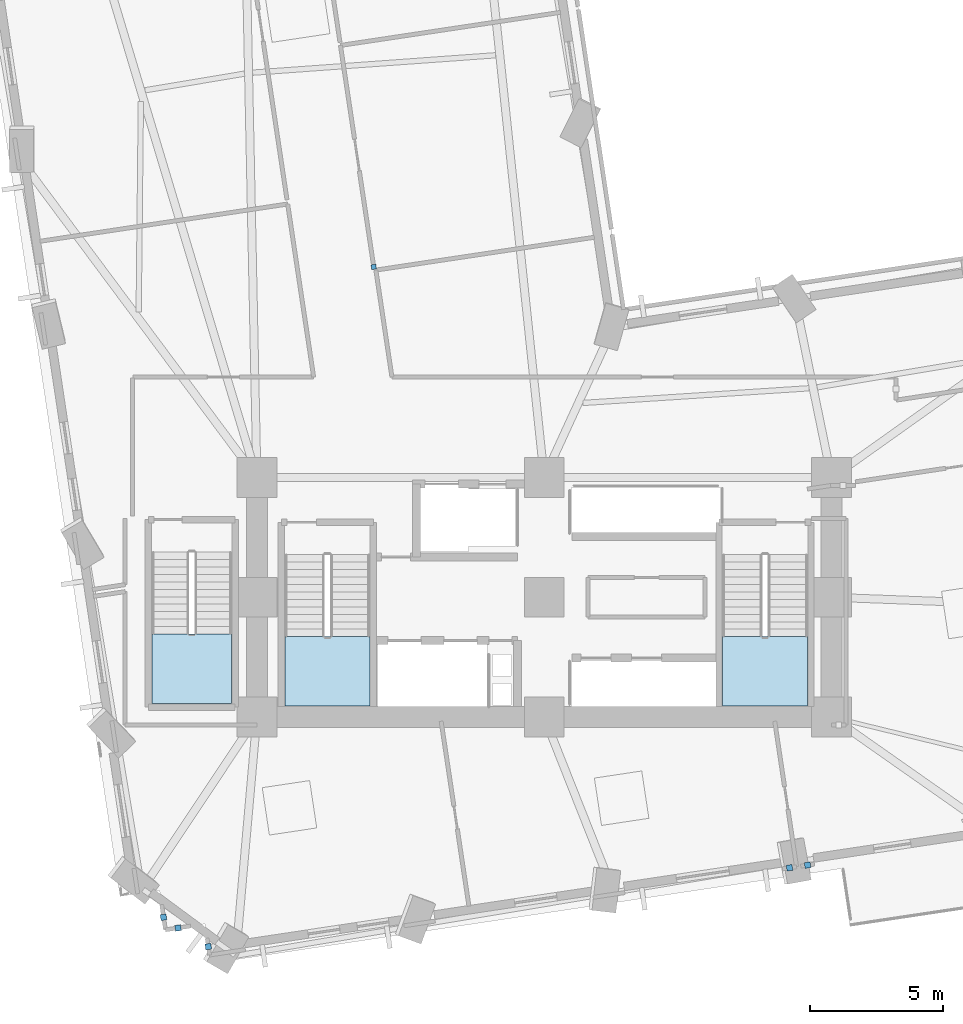
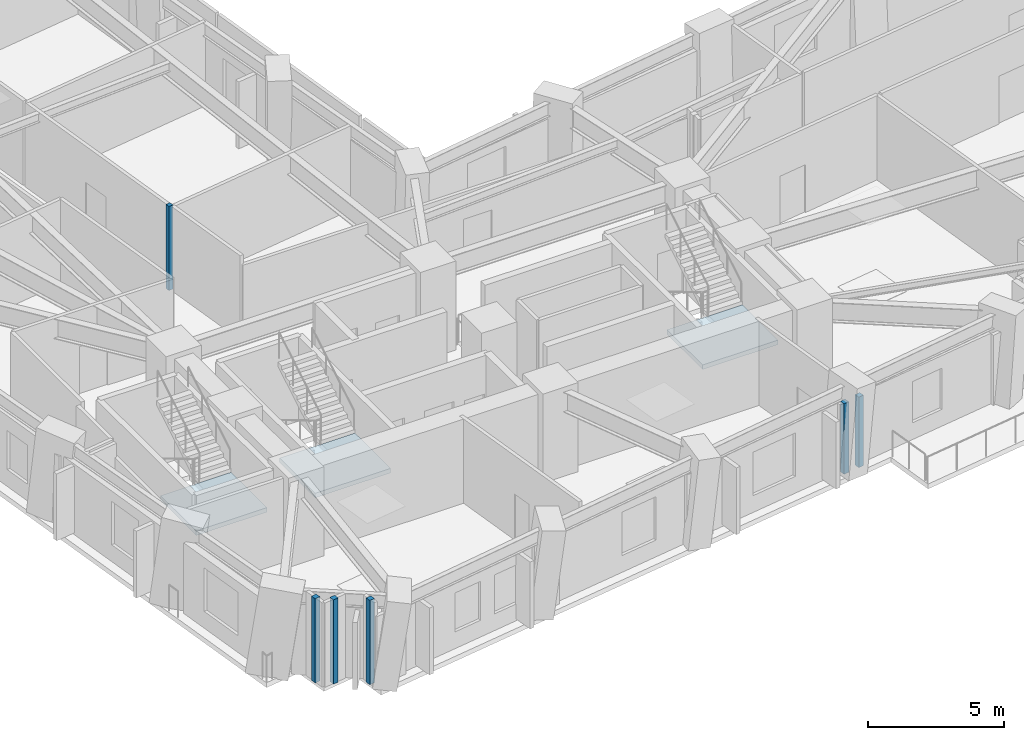
# One storey, part 3 of 15: 6 plates, 3 slabs, 3 elements without a shape of their own.
"""IFC4 building model written with IfcOpenShell, lengths in metres."""

from ifc_helpers import new_model, si_unit, direction, frame, origin, origin_2d, place, context, subcontext, project, spatial, polyline, rectangle, outline, extrude, material, layer, layer_set, type_object, element, aggregate, save


model = new_model("IFC4")

# Units and contexts
model_context = context("Model", 3, precision=1e-05, world=origin(), true_north=direction((0.0, 1.0)))
body_context = subcontext(model_context, "Body", "Model", "MODEL_VIEW")
ifc_project = project(units=[si_unit("LENGTHUNIT", "METRE"), si_unit("AREAUNIT", "SQUARE_METRE"), si_unit("VOLUMEUNIT", "CUBIC_METRE"), si_unit("PLANEANGLEUNIT", "RADIAN"), si_unit("MASSUNIT", "GRAM", prefix="KILO")], contexts=[model_context])

# Site, building, storey
site_placement = place(None, origin())
site = spatial("IfcSite", under=ifc_project, at=site_placement, CompositionType="ELEMENT")
building_placement = place(site_placement, origin())
building = spatial("IfcBuilding", under=site, at=building_placement, Name="Gaonmaruhae Medical Tower", CompositionType="ELEMENT")
storey_placement = place(building_placement, frame((0.0, 0.0, 59.0)))
storey = spatial("IfcBuildingStorey", under=building, at=storey_placement, Name="L13", CompositionType="ELEMENT", Elevation=59.0)

# Plates
ifc_material_1 = material(Name="Anodised aluminium 6063-T6", Category="aluminium")
ifc_layer_1 = layer(ifc_material_1, 0.011962890625)
ifc_layer_set_1 = layer_set([ifc_layer_1], Name="Anodised aluminium 6063-T6")
plate_type = type_object("IfcPlateType", Name="PP-01 Interior Partition Corner Stiffener Plate", PredefinedType="SHEET", material=ifc_layer_set_1)
plate_placement = place(storey_placement, frame((18.392822265625, 24.718017578125, 0.0), z_axis=(0.0, 0.0, 1.0), x_axis=(-0.148672433897, 0.988886498745, 0.0)))
element("IfcPlate", 1, at=plate_placement, inside=storey, type_object=plate_type, Name="L13 Partition End Jamb Post Plate PLT-L13-ENDP-PW076-0", PredefinedType="SHEET", context=body_context, shape_type="SweptSolid", body=[
    extrude(rectangle(XDim=0.179931640625, YDim=0.179931640625, at=origin_2d()), origin(), (0.0, 0.0, 1.0), 3.780029296875),
])
for number, where, z_axis, x_axis, name in (
    (2, (12.172607421875, -0.8310546875, 0.0), (0.0, 0.0, 1.0), (-0.148637915156, 0.988891687789, 0.0), "L13 Partition Corner Stiffener Plate PLT-L13-JGP-PW011"),
    (3, (11.035400390625, -0.131591796875, 0.0), (0.0, 0.0, 1.0), (-0.988837142727, -0.149000352898, 0.0), "L13 Partition Corner Stiffener Plate PLT-L13-JGP-PW012"),
    (4, (10.489501953125, 0.271484375, 0.0), (0.0, 0.0, 1.0), (-0.149000352898, 0.988837142727, 0.0), "L13 Partition Corner Stiffener Plate PLT-L13-JGP-PW013"),
):
    element("IfcPlate", number, at=place(storey_placement, frame(where, z_axis=z_axis, x_axis=x_axis)), inside=storey, type_object=plate_type, Name=name, PredefinedType="SHEET", context=body_context, shape_type="SweptSolid", body=[
        extrude(rectangle(XDim=0.219970703125, YDim=0.219970703125, at=origin_2d()), origin(), (0.0, 0.0, 1.0), 3.780029296875),
    ])
for number, where, z_axis, x_axis, name in (
    (5, (34.02099609375, 2.131103515625, 0.0), (0.0, 0.0, 1.0), (-0.988881308495, -0.148706952457, 0.0), "L13 Partition Corner Stiffener Plate PLT-L13-JGP-PW016"),
    (6, (34.700927734375, 2.232421875, 0.0), (0.0, 0.0, 1.0), (-0.988878712919, -0.148724211669, 0.0), "L13 Partition Corner Stiffener Plate PLT-L13-JGP-PW029"),
):
    element("IfcPlate", number, at=place(storey_placement, frame(where, z_axis=z_axis, x_axis=x_axis)), inside=storey, type_object=plate_type, Name=name, PredefinedType="SHEET", context=body_context, shape_type="SweptSolid", body=[
        extrude(rectangle(XDim=0.219970703125, YDim=0.219970703125, at=origin_2d()), origin(), (0.0, 0.0, 1.0), 3.1650390625),
    ])

# Stair, slab
ifc_material_2 = material(Name="Concrete C40/50", Category="concrete")
stair_type_1 = type_object("IfcStairType", Name="ST-T1 Primary Core Escape Dogleg Stair", PredefinedType="TWO_QUARTER_TURN_STAIR", material=ifc_material_2)
stair_1_placement = place(storey_placement, origin())
stair_1 = element("IfcStair", 7, at=stair_1_placement, inside=storey, type_object=stair_type_1, Name="L13 Protected Escape Stair ST-01", PredefinedType="TWO_QUARTER_TURN_STAIR")
ifc_layer_2 = layer(ifc_material_2, 0.199951171875)
ifc_layer_set_2 = layer_set([ifc_layer_2], Name="Concrete C40/50")
slab_type = type_object("IfcSlabType", Name="SL-200 Stair & Ramp Intermediate Concrete Landing", PredefinedType="LANDING", material=ifc_layer_set_2)
slab_1_placement = place(storey_placement, frame((0.0, 0.0, 1.800048828125)))
slab_1 = element("IfcSlab", 8, at=slab_1_placement, type_object=slab_type, Name="ST-01 landing 1", PredefinedType="LANDING", context=body_context, shape_type="SweptSolid", body=[
    extrude(outline(polyline([(15.050048828125, 10.820068359375), (15.050048828125, 8.2041015625), (18.25, 8.2041015625), (18.25, 10.820068359375), (15.050048828125, 10.820068359375)])), origin(), (0.0, 0.0, 1.0), 0.199951171875),
])
aggregate(stair_1, [slab_1])

stair_2_placement = place(storey_placement, origin())
stair_2 = element("IfcStair", 9, at=stair_2_placement, inside=storey, type_object=stair_type_1, Name="L13 Protected Escape Stair ST-02", PredefinedType="TWO_QUARTER_TURN_STAIR")
slab_2_placement = place(storey_placement, frame((0.0, 0.0, 1.800048828125)))
slab_2 = element("IfcSlab", 10, at=slab_2_placement, type_object=slab_type, Name="ST-02 landing 1", PredefinedType="LANDING", context=body_context, shape_type="SweptSolid", body=[
    extrude(outline(polyline([(31.5, 10.820068359375), (31.5, 8.2041015625), (34.699951171875, 8.2041015625), (34.699951171875, 10.820068359375), (31.5, 10.820068359375)])), origin(), (0.0, 0.0, 1.0), 0.199951171875),
])
aggregate(stair_2, [slab_2])

stair_type_2 = type_object("IfcStairType", Name="ST-T2 Zone 1 Escape Dogleg Stair", PredefinedType="TWO_QUARTER_TURN_STAIR", material=ifc_material_2)
stair_3_placement = place(storey_placement, origin())
stair_3 = element("IfcStair", 11, at=stair_3_placement, inside=storey, type_object=stair_type_2, Name="L13 Protected Escape Stair ST-03", PredefinedType="TWO_QUARTER_TURN_STAIR")
slab_3_placement = place(storey_placement, frame((0.0, 0.0, 1.800048828125)))
slab_3 = element("IfcSlab", 12, at=slab_3_placement, type_object=slab_type, Name="ST-03 landing 1", PredefinedType="LANDING", context=body_context, shape_type="SweptSolid", body=[
    extrude(outline(polyline([(10.050048828125, 10.919921875), (10.050048828125, 8.300048828125), (13.050048828125, 8.300048828125), (13.050048828125, 10.919921875), (10.050048828125, 10.919921875)])), origin(), (0.0, 0.0, 1.0), 0.199951171875),
])
aggregate(stair_3, [slab_3])

save(model, "model.ifc")
